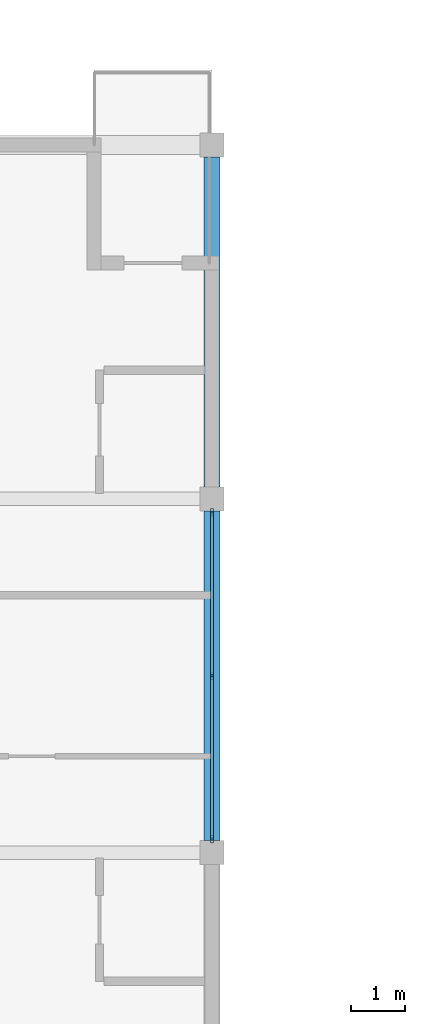
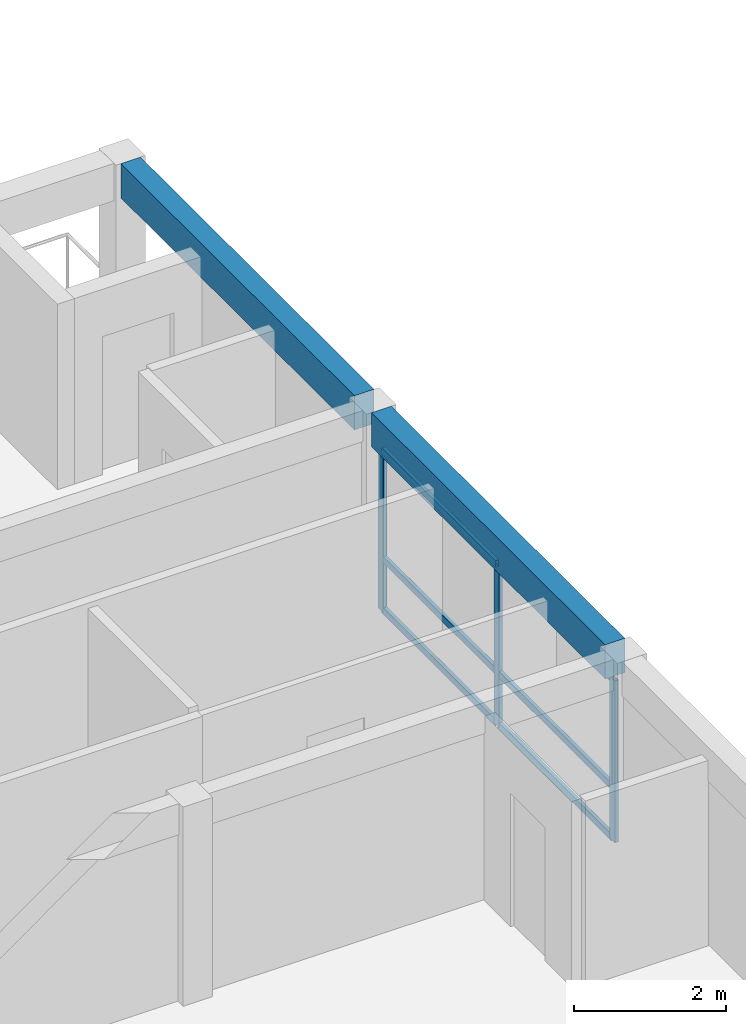
# One storey, part 5 of 22: 9 members, 2 beams, 1 element without a shape of its own.
"""IFC4 building model written with IfcOpenShell, lengths in metres."""

from ifc_helpers import new_model, si_unit, direction, frame, origin, origin_2d, place, context, subcontext, project, spatial, rectangle, hollow_rectangle, extrude, material, material_profile, profile_set, type_object, element, aggregate, save


model = new_model("IFC4")

# Units and contexts
model_context = context("Model", 3, precision=1e-05, world=origin(), true_north=direction((0.0, 1.0)))
body_context = subcontext(model_context, "Body", "Model", "MODEL_VIEW")
ifc_project = project(units=[si_unit("LENGTHUNIT", "METRE"), si_unit("AREAUNIT", "SQUARE_METRE"), si_unit("VOLUMEUNIT", "CUBIC_METRE"), si_unit("PLANEANGLEUNIT", "RADIAN"), si_unit("MASSUNIT", "GRAM", prefix="KILO")], contexts=[model_context])

# Site, building, storey
site_placement = place(None, origin())
site = spatial("IfcSite", under=ifc_project, at=site_placement, CompositionType="ELEMENT")
building_placement = place(site_placement, origin())
building = spatial("IfcBuilding", under=site, at=building_placement, Name="Kernevlak Ridge Housing Community", CompositionType="ELEMENT")
storey_placement = place(building_placement, frame((0.0, 0.0, 43.60009765625)))
storey = spatial("IfcBuildingStorey", under=building, at=storey_placement, Name="L13", CompositionType="ELEMENT", Elevation=43.60009765625)

# Curtain wall, members
ifc_material_1 = material(Name="Aluminium EN AW-6060 anodised and laminated glass", Category="aluminium")
curtain_wall_type = type_object("IfcCurtainWallType", Name="CW-11", PredefinedType="NOTDEFINED", material=ifc_material_1)
curtain_wall_placement = place(storey_placement, origin())
curtain_wall = element("IfcCurtainWall", 1, at=curtain_wall_placement, inside=storey, type_object=curtain_wall_type, Name="Curtain wall CW-11 CW-L13-042", PredefinedType="NOTDEFINED")
ifc_material_2 = material(Name="Aluminium EN AW-6060 anodised", Category="aluminium")
ifc_material_profile_1 = material_profile(ifc_material_2, hollow_rectangle(XDim=0.054931640625, YDim=0.139892578125, WallThickness=0.00390625, InnerFilletRadius=0.001953125, OuterFilletRadius=0.00390625, at=origin_2d()), Name="ALU 55x140x4")
ifc_profile_set_1 = profile_set([ifc_material_profile_1], Name="Aluminium EN AW-6060 anodised")
member_type_1 = type_object("IfcMemberType", Name="MU-01", PredefinedType="MULLION", material=ifc_profile_set_1)
member_1_placement = place(storey_placement, frame((48.60009765625, 82.8525390625, 0.0), z_axis=(0.0, 0.0, 1.0), x_axis=(-1.0, 0.0, 0.0)))
member_1 = element("IfcMember", 2, at=member_1_placement, type_object=member_type_1, Name="CW-11 mullion 1", PredefinedType="MULLION", context=body_context, shape_type="SweptSolid", body=[
    extrude(hollow_rectangle(XDim=0.054931640625, YDim=0.139892578125, WallThickness=0.00390625, InnerFilletRadius=0.001953125, OuterFilletRadius=0.00390625, at=origin_2d()), origin(), (0.0, 0.0, 1.0), 2.599853515625),
])
member_2_placement = place(storey_placement, frame((48.60009765625, 85.89990234375, 0.0), z_axis=(0.0, 0.0, 1.0), x_axis=(-1.0, 0.0, 0.0)))
member_2 = element("IfcMember", 3, at=member_2_placement, type_object=member_type_1, Name="CW-11 mullion 2", PredefinedType="MULLION", context=body_context, shape_type="SweptSolid", body=[
    extrude(hollow_rectangle(XDim=0.054931640625, YDim=0.139892578125, WallThickness=0.00390625, InnerFilletRadius=0.001953125, OuterFilletRadius=0.00390625, at=origin_2d()), origin(), (0.0, 0.0, 1.0), 2.599853515625),
])
member_3_placement = place(storey_placement, frame((48.60009765625, 88.947509765625, 0.0), z_axis=(0.0, 0.0, 1.0), x_axis=(-1.0, 0.0, 0.0)))
member_3 = element("IfcMember", 4, at=member_3_placement, type_object=member_type_1, Name="CW-11 mullion 3", PredefinedType="MULLION", context=body_context, shape_type="SweptSolid", body=[
    extrude(hollow_rectangle(XDim=0.054931640625, YDim=0.139892578125, WallThickness=0.00390625, InnerFilletRadius=0.001953125, OuterFilletRadius=0.00390625, at=origin_2d()), origin(), (0.0, 0.0, 1.0), 2.599853515625),
])

# Beams
ifc_material_3 = material(Name="Concrete C35/45", Category="concrete")
ifc_material_profile_2 = material_profile(ifc_material_3, rectangle(XDim=0.300048828125, YDim=0.550048828125, at=origin_2d()), Name="RC 300x550")
ifc_profile_set_2 = profile_set([ifc_material_profile_2], Name="Concrete C35/45")
beam_type = type_object("IfcBeamType", Name="SP-01", PredefinedType="SPANDREL", material=ifc_profile_set_2)
beam_1_placement = place(storey_placement, frame((48.60009765625, 82.824951171875, 2.9248046875), z_axis=(0.0, 1.0, 0.0), x_axis=(-1.0, 0.0, 0.0)))
element("IfcBeam", 5, at=beam_1_placement, inside=storey, type_object=beam_type, Name="Beam SP-01 L13 419", PredefinedType="SPANDREL", context=body_context, shape_type="SweptSolid", body=[
    extrude(rectangle(XDim=0.300048828125, YDim=0.550048828125, at=origin_2d()), origin(), (0.0, 0.0, 1.0), 6.150146484375),
])
beam_2_placement = place(storey_placement, frame((48.60009765625, 89.425048828125, 2.9248046875), z_axis=(0.0, 1.0, 0.0), x_axis=(-1.0, 0.0, 0.0)))
element("IfcBeam", 6, at=beam_2_placement, inside=storey, type_object=beam_type, Name="Beam SP-01 L13 420", PredefinedType="SPANDREL", context=body_context, shape_type="SweptSolid", body=[
    extrude(rectangle(XDim=0.300048828125, YDim=0.550048828125, at=origin_2d()), origin(), (0.0, 0.0, 1.0), 6.14990234375),
])

# Member
ifc_material_profile_3 = material_profile(ifc_material_2, hollow_rectangle(XDim=0.054931640625, YDim=0.110107421875, WallThickness=0.00390625, InnerFilletRadius=0.001953125, OuterFilletRadius=0.00390625, at=origin_2d()), Name="ALU 55x110x4")
ifc_profile_set_3 = profile_set([ifc_material_profile_3], Name="Aluminium EN AW-6060 anodised")
member_type_2 = type_object("IfcMemberType", Name="TM-01", PredefinedType="USERDEFINED", material=ifc_profile_set_3)
member_4_placement = place(storey_placement, frame((48.60009765625, 82.8798828125, 0.02734375), z_axis=(0.0, 1.0, 0.0), x_axis=(-1.0, 0.0, 0.0)))
member_4 = element("IfcMember", 7, at=member_4_placement, type_object=member_type_2, Name="CW-11 transom 1.1", ObjectType="TRANSOM", PredefinedType="USERDEFINED", context=body_context, shape_type="SweptSolid", body=[
    extrude(hollow_rectangle(XDim=0.054931640625, YDim=0.110107421875, WallThickness=0.00390625, InnerFilletRadius=0.001953125, OuterFilletRadius=0.00390625, at=origin_2d()), origin(), (0.0, 0.0, 1.0), 2.99267578125),
])

member_5_placement = place(storey_placement, frame((48.60009765625, 82.8798828125, 0.849853515625), z_axis=(0.0, 1.0, 0.0), x_axis=(-1.0, 0.0, 0.0)))
member_5 = element("IfcMember", 8, at=member_5_placement, type_object=member_type_2, Name="CW-11 transom 1.2", ObjectType="TRANSOM", PredefinedType="USERDEFINED", context=body_context, shape_type="SweptSolid", body=[
    extrude(hollow_rectangle(XDim=0.054931640625, YDim=0.110107421875, WallThickness=0.00390625, InnerFilletRadius=0.001953125, OuterFilletRadius=0.00390625, at=origin_2d()), origin(), (0.0, 0.0, 1.0), 2.99267578125),
])

member_6_placement = place(storey_placement, frame((48.60009765625, 82.8798828125, 2.572509765625), z_axis=(0.0, 1.0, 0.0), x_axis=(-1.0, 0.0, 0.0)))
member_6 = element("IfcMember", 9, at=member_6_placement, type_object=member_type_2, Name="CW-11 transom 1.3", ObjectType="TRANSOM", PredefinedType="USERDEFINED", context=body_context, shape_type="SweptSolid", body=[
    extrude(hollow_rectangle(XDim=0.054931640625, YDim=0.110107421875, WallThickness=0.00390625, InnerFilletRadius=0.001953125, OuterFilletRadius=0.00390625, at=origin_2d()), origin(), (0.0, 0.0, 1.0), 2.99267578125),
])

member_7_placement = place(storey_placement, frame((48.60009765625, 85.927490234375, 0.02734375), z_axis=(0.0, 1.0, 0.0), x_axis=(-1.0, 0.0, 0.0)))
member_7 = element("IfcMember", 10, at=member_7_placement, type_object=member_type_2, Name="CW-11 transom 2.1", ObjectType="TRANSOM", PredefinedType="USERDEFINED", context=body_context, shape_type="SweptSolid", body=[
    extrude(hollow_rectangle(XDim=0.054931640625, YDim=0.110107421875, WallThickness=0.00390625, InnerFilletRadius=0.001953125, OuterFilletRadius=0.00390625, at=origin_2d()), origin(), (0.0, 0.0, 1.0), 2.992431640625),
])

member_8_placement = place(storey_placement, frame((48.60009765625, 85.927490234375, 0.849853515625), z_axis=(0.0, 1.0, 0.0), x_axis=(-1.0, 0.0, 0.0)))
member_8 = element("IfcMember", 11, at=member_8_placement, type_object=member_type_2, Name="CW-11 transom 2.2", ObjectType="TRANSOM", PredefinedType="USERDEFINED", context=body_context, shape_type="SweptSolid", body=[
    extrude(hollow_rectangle(XDim=0.054931640625, YDim=0.110107421875, WallThickness=0.00390625, InnerFilletRadius=0.001953125, OuterFilletRadius=0.00390625, at=origin_2d()), origin(), (0.0, 0.0, 1.0), 2.992431640625),
])

member_9_placement = place(storey_placement, frame((48.60009765625, 85.927490234375, 2.572509765625), z_axis=(0.0, 1.0, 0.0), x_axis=(-1.0, 0.0, 0.0)))
member_9 = element("IfcMember", 12, at=member_9_placement, type_object=member_type_2, Name="CW-11 transom 2.3", ObjectType="TRANSOM", PredefinedType="USERDEFINED", context=body_context, shape_type="SweptSolid", body=[
    extrude(hollow_rectangle(XDim=0.054931640625, YDim=0.110107421875, WallThickness=0.00390625, InnerFilletRadius=0.001953125, OuterFilletRadius=0.00390625, at=origin_2d()), origin(), (0.0, 0.0, 1.0), 2.992431640625),
])

aggregate(curtain_wall, [member_1, member_2, member_3, member_4, member_5, member_6, member_7, member_8, member_9])

save(model, "model.ifc")
